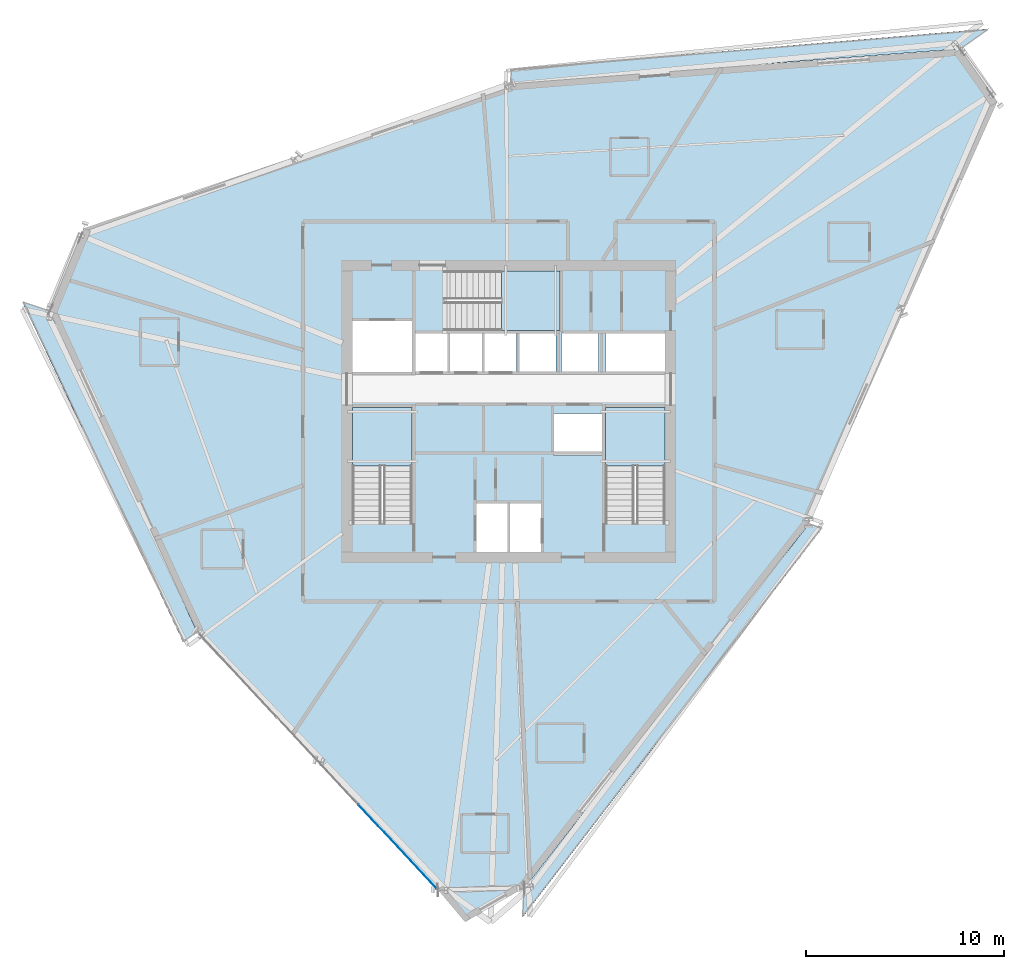
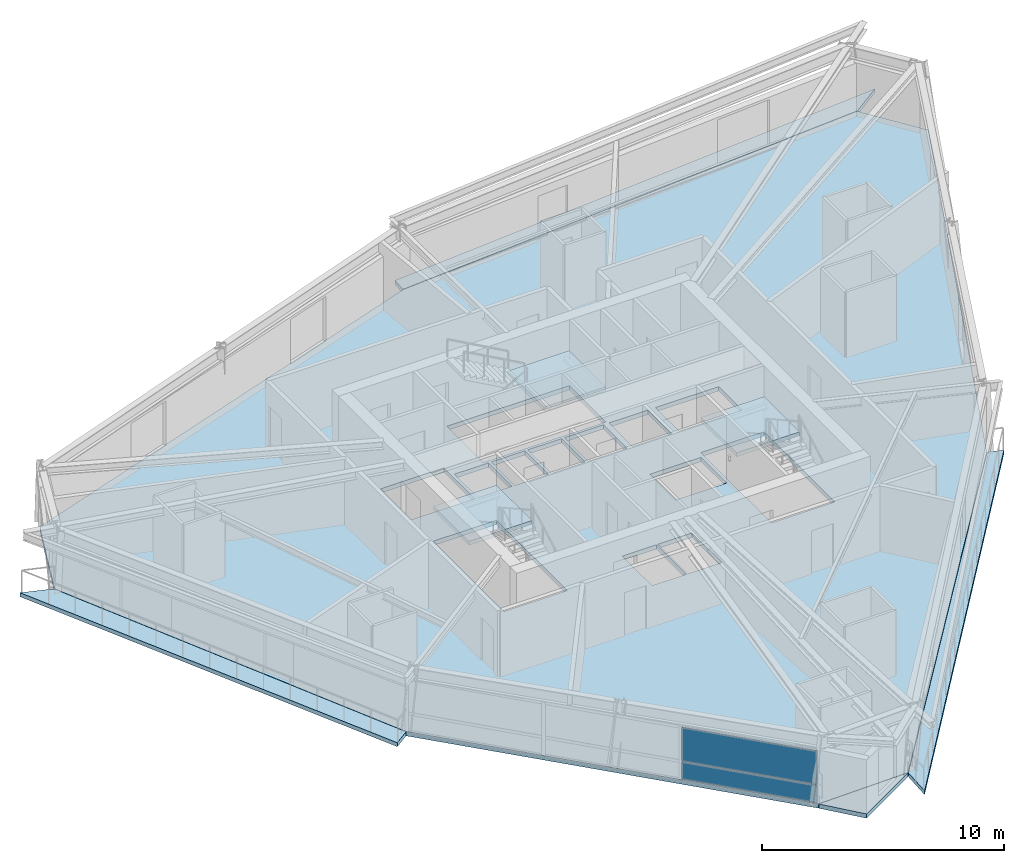
# One storey, part 5 of 14: 8 slabs, 2 plates, 4 elements without a shape of their own.
"""IFC4 building model written with IfcOpenShell, lengths in metres."""

from ifc_helpers import new_model, si_unit, direction, frame, origin, origin_2d, place, context, subcontext, project, spatial, polyline, rectangle, outline, extrude, source, transform, mapped, material, layer, layer_set, type_object, element, aggregate, save


model = new_model("IFC4")

# Units and contexts
model_context = context("Model", 3, precision=1e-05, world=origin(), true_north=direction((0.0, 1.0)))
body_context = subcontext(model_context, "Body", "Model", "MODEL_VIEW")
ifc_project = project(units=[si_unit("LENGTHUNIT", "METRE"), si_unit("AREAUNIT", "SQUARE_METRE"), si_unit("VOLUMEUNIT", "CUBIC_METRE"), si_unit("PLANEANGLEUNIT", "RADIAN"), si_unit("MASSUNIT", "GRAM", prefix="KILO")], contexts=[model_context])

# Site, building, storey
site_placement = place(None, origin())
site = spatial("IfcSite", under=ifc_project, at=site_placement, CompositionType="ELEMENT")
building_placement = place(site_placement, origin())
building = spatial("IfcBuilding", under=site, at=building_placement, Name="Olszyna Solenne Hotel", CompositionType="ELEMENT")
storey_placement = place(building_placement, frame((0.0, 0.0, 178.550048828125)))
storey = spatial("IfcBuildingStorey", under=building, at=storey_placement, Name="L47", CompositionType="ELEMENT", Elevation=178.550048828125)

# Stair, slab
ifc_material_1 = material(Name="Concrete C40/50", Category="concrete")
stair_type = type_object("IfcStairType", Name="STR-C1", PredefinedType="TWO_QUARTER_WINDING_STAIR", material=ifc_material_1)
stair_1_placement = place(storey_placement, origin())
stair_1 = element("IfcStair", 1, at=stair_1_placement, inside=storey, type_object=stair_type, Name="L47 ST1", PredefinedType="TWO_QUARTER_WINDING_STAIR")
ifc_layer_1 = layer(ifc_material_1, 0.18994140625, Name="Concrete C40/50")
ifc_layer_set_1 = layer_set([ifc_layer_1], Name="Concrete C40/50")
slab_type_1 = type_object("IfcSlabType", Name="SL-LN190", PredefinedType="LANDING", material=ifc_layer_set_1)
slab_1_placement = place(storey_placement, frame((0.0, 0.0, 1.574951171875)))
slab_1 = element("IfcSlab", 2, at=slab_1_placement, type_object=slab_type_1, Name="ST1 landing 1", PredefinedType="LANDING", context=body_context, shape_type="SweptSolid", body=[
    extrude(outline(polyline([(33.1201171875, 23.85009765625), (33.1201171875, 26.800048828125), (30.10009765625, 26.800048828125), (30.10009765625, 23.85009765625), (33.1201171875, 23.85009765625)])), origin(), (0.0, 0.0, 1.0), 0.199951171875),
])
aggregate(stair_1, [slab_1])

stair_2_placement = place(storey_placement, origin())
stair_2 = element("IfcStair", 3, at=stair_2_placement, inside=storey, type_object=stair_type, Name="L47 ST2", PredefinedType="TWO_QUARTER_WINDING_STAIR")
slab_2_placement = place(storey_placement, frame((0.0, 0.0, 1.574951171875)))
slab_2 = element("IfcSlab", 4, at=slab_2_placement, type_object=slab_type_1, Name="ST2 landing 1", PredefinedType="LANDING", context=body_context, shape_type="SweptSolid", body=[
    extrude(outline(polyline([(45.89990234375, 23.85009765625), (45.89990234375, 26.800048828125), (42.8798828125, 26.800048828125), (42.8798828125, 23.85009765625), (45.89990234375, 23.85009765625)])), origin(), (0.0, 0.0, 1.0), 0.199951171875),
])
aggregate(stair_2, [slab_2])

stair_3_placement = place(storey_placement, origin())
stair_3 = element("IfcStair", 5, at=stair_3_placement, inside=storey, type_object=stair_type, Name="L47 ST3", PredefinedType="TWO_QUARTER_WINDING_STAIR")
slab_3_placement = place(storey_placement, frame((0.0, 0.0, 1.574951171875)))
slab_3 = element("IfcSlab", 6, at=slab_3_placement, type_object=slab_type_1, Name="ST3 landing 1", PredefinedType="LANDING", context=body_context, shape_type="SweptSolid", body=[
    extrude(outline(polyline([(37.6298828125, 30.679931640625), (40.580078125, 30.679931640625), (40.580078125, 33.699951171875), (37.6298828125, 33.699951171875), (37.6298828125, 30.679931640625)])), origin(), (0.0, 0.0, 1.0), 0.199951171875),
])
aggregate(stair_3, [slab_3])

# Slabs
ifc_material_2 = material(Name="Precast concrete C45/55", Category="concrete")
ifc_layer_2 = layer(ifc_material_2, 0.199951171875, Name="Precast concrete C45/55")
ifc_layer_set_2 = layer_set([ifc_layer_2], Name="Precast concrete C45/55")
slab_type_2 = type_object("IfcSlabType", Name="SL-LOG200", PredefinedType="FLOOR", material=ifc_layer_set_2)
slab_4_placement = place(storey_placement, frame((0.0, 0.0, -0.199951171875)))
element("IfcSlab", 7, at=slab_4_placement, inside=storey, type_object=slab_type_2, Name="Exterior loggia balcony slab SL-L47-LG1", PredefinedType="FLOOR", context=body_context, shape_type="SweptSolid", body=[
    extrude(outline(polyline([(38.09228515625, 43.1591796875), (60.796875, 44.908935546875), (60.79833984375, 44.908935546875), (60.7998046875, 44.908935546875), (60.801025390625, 44.90869140625), (60.802490234375, 44.908203125), (60.8037109375, 44.907958984375), (60.80517578125, 44.9072265625), (60.806396484375, 44.906494140625), (60.8076171875, 44.90576171875), (60.80859375, 44.90478515625), (60.8095703125, 44.90380859375), (60.810302734375, 44.902587890625), (62.24755859375, 45.9287109375), (38.12744140625, 43.889892578125), (38.09228515625, 43.1591796875)])), origin(), (0.0, 0.0, 1.0), 0.199951171875),
])
slab_5_placement = place(storey_placement, frame((0.0, 0.0, -0.199951171875)))
element("IfcSlab", 8, at=slab_5_placement, inside=storey, type_object=slab_type_2, Name="Exterior loggia balcony slab SL-L47-LG2", PredefinedType="FLOOR", context=body_context, shape_type="SweptSolid", body=[
    extrude(outline(polyline([(22.253662109375, 15.460693359375), (22.2529296875, 15.4619140625), (22.252197265625, 15.463134765625), (14.79638671875, 31.66552734375), (14.795654296875, 31.6669921875), (14.79541015625, 31.66845703125), (14.794921875, 31.669921875), (14.794921875, 31.67138671875), (14.794921875, 31.673095703125), (14.795166015625, 31.674560546875), (14.79541015625, 31.676025390625), (14.795654296875, 31.676513671875), (13.431884765625, 32.12841796875), (21.541015625, 14.9521484375), (22.253662109375, 15.460693359375)])), origin(), (0.0, 0.0, 1.0), 0.199951171875),
])
slab_6_placement = place(storey_placement, frame((0.0, 0.0, -0.199951171875)))
element("IfcSlab", 9, at=slab_6_placement, inside=storey, type_object=slab_type_2, Name="Exterior loggia balcony slab SL-L47-LG3", PredefinedType="FLOOR", context=body_context, shape_type="SweptSolid", body=[
    extrude(outline(polyline([(53.16357421875, 20.917724609375), (53.1630859375, 20.91650390625), (53.162109375, 20.914794921875), (53.1611328125, 20.913330078125), (38.780517578125, 2.520751953125), (38.779541015625, 2.51953125), (38.778564453125, 2.5185546875), (38.77734375, 2.517578125), (38.776123046875, 2.516845703125), (38.767822265625, 2.51220703125), (38.697265625, 1.03857421875), (53.83837890625, 20.694091796875), (53.16357421875, 20.917724609375)])), origin(), (0.0, 0.0, 1.0), 0.199951171875),
])
ifc_material_3 = material(Name="Concrete C50/60", Category="concrete")
ifc_layer_3 = layer(ifc_material_3, 0.219970703125, Name="Concrete C50/60")
ifc_layer_set_3 = layer_set([ifc_layer_3], Name="Concrete C50/60")
slab_type_3 = type_object("IfcSlabType", Name="SL-TW225", PredefinedType="FLOOR", material=ifc_layer_set_3)
slab_7_placement = place(storey_placement, frame((0.0, 0.0, -0.219970703125)))
element("IfcSlab", 10, at=slab_7_placement, inside=storey, type_object=slab_type_3, Name="Floor slab SL-TW225 SL-L47-01", PredefinedType="FLOOR", context=body_context, shape_type="SweptSolid", body=[
    extrude(outline(polyline([(62.67529296875, 42.238037109375), (60.798095703125, 44.89404296875), (38.091796875, 43.144287109375), (16.520263671875, 35.842529296875), (14.809814453125, 31.671875), (22.265869140625, 15.469482421875), (34.427734375, 2.423828125), (38.768798828125, 2.52978515625), (53.1494140625, 20.922607421875), (62.67529296875, 42.238037109375)]), holes=[polyline([(30.10009765625, 20.949951171875), (33.1201171875, 20.949951171875), (33.1201171875, 26.800048828125), (30.10009765625, 26.800048828125), (30.10009765625, 20.949951171875)]), polyline([(42.8798828125, 20.949951171875), (45.89990234375, 20.949951171875), (45.89990234375, 26.800048828125), (42.8798828125, 26.800048828125), (42.8798828125, 20.949951171875)]), polyline([(34.72998046875, 30.679931640625), (40.580078125, 30.679931640625), (40.580078125, 33.699951171875), (34.72998046875, 33.699951171875), (34.72998046875, 30.679931640625)]), polyline([(36.340087890625, 19.5), (37.9599609375, 19.5), (37.9599609375, 21.9599609375), (36.340087890625, 21.9599609375), (36.340087890625, 19.5)]), polyline([(38.0400390625, 19.5), (39.659912109375, 19.5), (39.659912109375, 21.9599609375), (38.0400390625, 21.9599609375), (38.0400390625, 19.5)]), polyline([(30.10009765625, 28.60009765625), (33.1201171875, 28.60009765625), (33.1201171875, 31.159912109375), (30.10009765625, 31.159912109375), (30.10009765625, 28.60009765625)]), polyline([(40.280029296875, 24.360107421875), (42.719970703125, 24.360107421875), (42.719970703125, 26.5), (40.280029296875, 26.5), (40.280029296875, 24.360107421875)]), polyline([(33.280029296875, 28.60009765625), (34.89990234375, 28.60009765625), (34.89990234375, 30.550048828125), (33.280029296875, 30.550048828125), (33.280029296875, 28.60009765625)]), polyline([(35.030029296875, 28.60009765625), (36.64990234375, 28.60009765625), (36.64990234375, 30.550048828125), (35.030029296875, 30.550048828125), (35.030029296875, 28.60009765625)]), polyline([(36.780029296875, 28.60009765625), (38.39990234375, 28.60009765625), (38.39990234375, 30.550048828125), (36.780029296875, 30.550048828125), (36.780029296875, 28.60009765625)]), polyline([(38.530029296875, 28.60009765625), (40.389892578125, 28.60009765625), (40.389892578125, 30.550048828125), (38.530029296875, 30.550048828125), (38.530029296875, 28.60009765625)]), polyline([(40.659912109375, 28.60009765625), (42.52001953125, 28.60009765625), (42.52001953125, 30.550048828125), (40.659912109375, 30.550048828125), (40.659912109375, 28.60009765625)]), polyline([(42.8798828125, 28.60009765625), (45.89990234375, 28.60009765625), (45.89990234375, 30.550048828125), (42.8798828125, 30.550048828125), (42.8798828125, 28.60009765625)])]), origin(), (0.0, 0.0, 1.0), 0.219970703125),
])
slab_8_placement = place(storey_placement, frame((0.0, 0.0, -0.219970703125)))
element("IfcSlab", 11, at=slab_8_placement, inside=storey, type_object=slab_type_3, Name="Faceted glass-prism floor slab SL-L47-PR", PredefinedType="FLOOR", context=body_context, shape_type="SweptSolid", body=[
    extrude(outline(polyline([(38.750732421875, 2.51953125), (34.43603515625, 2.4140625), (35.789794921875, 0.800048828125), (38.750732421875, 2.51953125)])), origin(), (0.0, 0.0, 1.0), 0.219970703125),
])

# Curtain wall, plates
ifc_material_4 = material(Name="Anodised bronze aluminium", Category="aluminium")
curtain_wall_type = type_object("IfcCurtainWallType", Name="CW-SYS-4", PredefinedType="NOTDEFINED", material=ifc_material_4)
curtain_wall_placement = place(storey_placement, origin())
curtain_wall = element("IfcCurtainWall", 12, at=curtain_wall_placement, inside=storey, type_object=curtain_wall_type, Name="Unitised curtain wall CW-SYS-4 CW-L47-01", PredefinedType="NOTDEFINED")
ifc_material_5 = material(Name="Terracotta cladding", Category="masonry")
plate_type_1 = type_object("IfcPlateType", Name="PN-SP1", PredefinedType="CURTAIN_PANEL", material=ifc_material_5)
shared_shape_1 = source(origin(), body_context, "Body", "SweptSolid", [
    extrude(rectangle(XDim=5.84765625, YDim=0.035888671875, at=origin_2d()), origin(), (0.0, 0.0, 1.0), 0.8525390625),
])
plate_1_placement = place(storey_placement, frame((32.3896484375, 4.60986328125, 0.06494140625), z_axis=(0.0, 0.0, 1.0), x_axis=(0.681899026595, -0.731446318966, 0.0)))
plate_1 = element("IfcPlate", 13, at=plate_1_placement, type_object=plate_type_1, Name="Curtain-wall panel PN-SP1 CP-L47-01-05", PredefinedType="CURTAIN_PANEL", context=body_context, shape_type="MappedRepresentation", body=[
    mapped(shared_shape_1, transform((0.0, 0.0, 0.0), x_axis=(1.0, 0.0, 0.0), y_axis=(0.0, 1.0, 0.0), z_axis=(0.0, 0.0, 1.0), scale=1.0)),
])
ifc_material_6 = material(Name="Low-E triple glazing", Category="glass")
plate_type_2 = type_object("IfcPlateType", Name="PN-GL1", PredefinedType="CURTAIN_PANEL", material=ifc_material_6)
shared_shape_2 = source(origin(), body_context, "Body", "SweptSolid", [
    extrude(rectangle(XDim=5.84765625, YDim=0.035888671875, at=origin_2d()), origin(), (0.0, 0.0, 1.0), 1.674560546875),
])
plate_2_placement = place(storey_placement, frame((32.3896484375, 4.60986328125, 0.982421875), z_axis=(0.0, 0.0, 1.0), x_axis=(0.681899026595, -0.731446318966, 0.0)))
plate_2 = element("IfcPlate", 14, at=plate_2_placement, type_object=plate_type_2, Name="Curtain-wall panel PN-GL1 CP-L47-01-06", PredefinedType="CURTAIN_PANEL", context=body_context, shape_type="MappedRepresentation", body=[
    mapped(shared_shape_2, transform((0.0, 0.0, 0.0), x_axis=(1.0, 0.0, 0.0), y_axis=(0.0, 1.0, 0.0), z_axis=(0.0, 0.0, 1.0), scale=1.0)),
])
aggregate(curtain_wall, [plate_1, plate_2])

save(model, "model.ifc")
